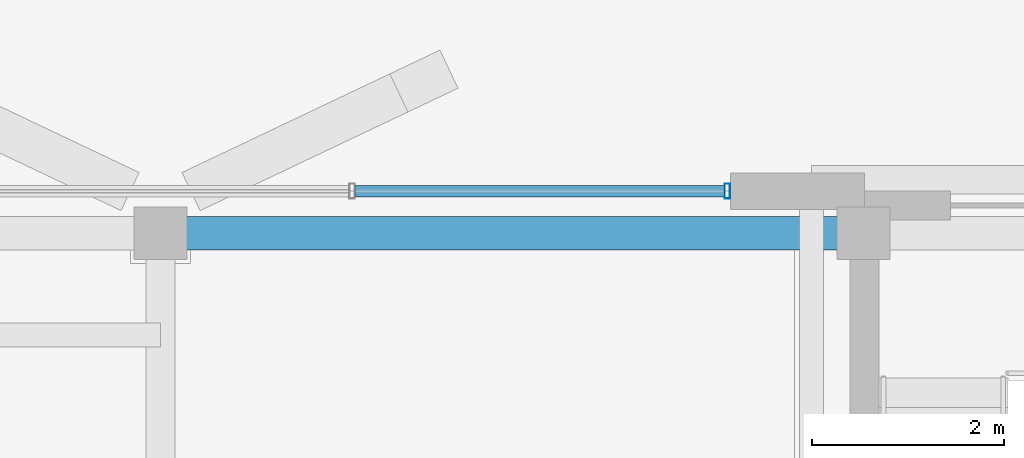
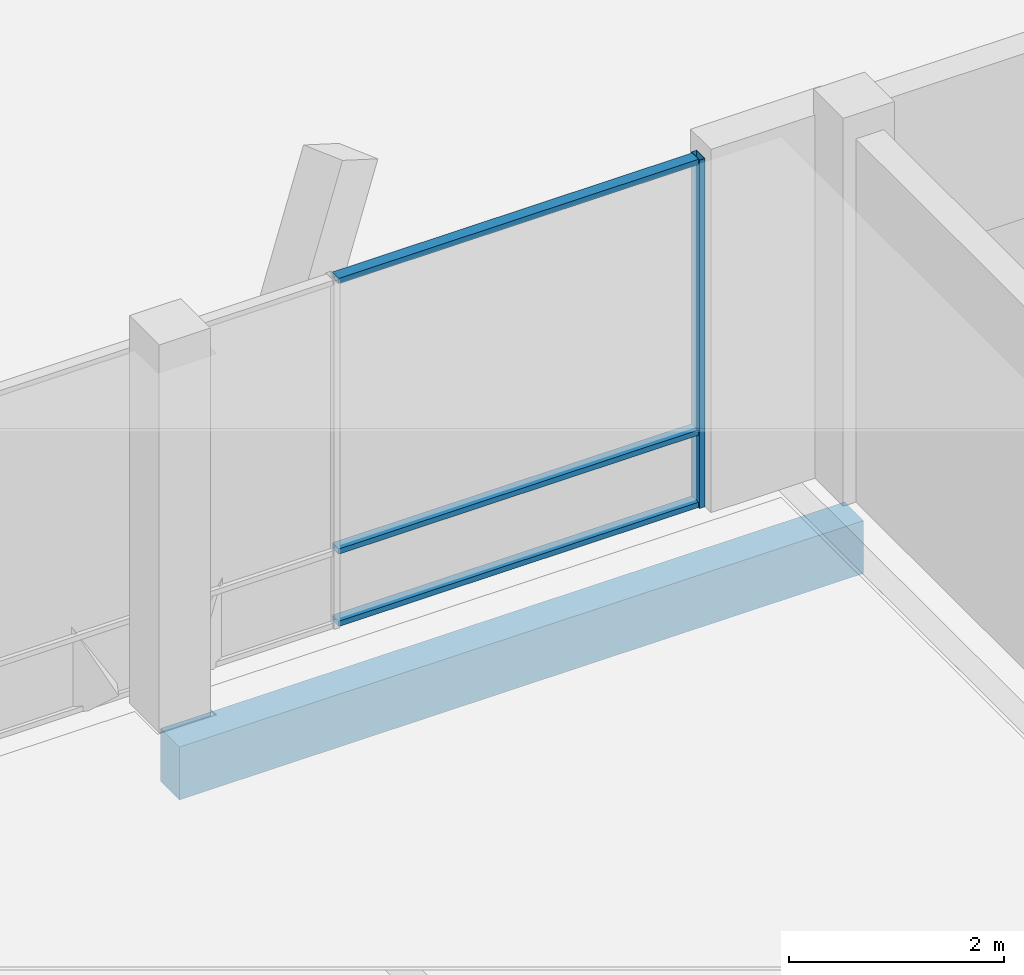
# One storey, part 77 of 233: 4 members, 1 beam, 1 element without a shape of its own.
"""IFC4 building model written with IfcOpenShell, lengths in metres."""

from ifc_helpers import new_model, si_unit, direction, frame, origin, origin_2d, place, context, subcontext, project, spatial, rectangle, hollow_rectangle, extrude, material, material_profile, profile_set, type_object, element, aggregate, save


model = new_model("IFC4")

# Units and contexts
model_context = context("Model", 3, precision=1e-05, world=origin(), true_north=direction((0.0, 1.0)))
body_context = subcontext(model_context, "Body", "Model", "MODEL_VIEW")
ifc_project = project(units=[si_unit("LENGTHUNIT", "METRE"), si_unit("AREAUNIT", "SQUARE_METRE"), si_unit("VOLUMEUNIT", "CUBIC_METRE"), si_unit("PLANEANGLEUNIT", "RADIAN"), si_unit("MASSUNIT", "GRAM", prefix="KILO")], contexts=[model_context])

# Site, building, storey
site_placement = place(None, origin())
site = spatial("IfcSite", under=ifc_project, at=site_placement, CompositionType="ELEMENT")
building_placement = place(site_placement, origin())
building = spatial("IfcBuilding", under=site, at=building_placement, Name="Zavelmont Quarter", CompositionType="ELEMENT")
storey_placement = place(building_placement, origin())
storey = spatial("IfcBuildingStorey", under=building, at=storey_placement, Name="L00", CompositionType="ELEMENT", Elevation=0.0)

# Beam
ifc_material_1 = material(Name="Concrete C35/45", Category="concrete")
ifc_material_profile_1 = material_profile(ifc_material_1, rectangle(XDim=0.35009765625, YDim=0.60009765625, at=origin_2d()), Name="RC350X600")
ifc_profile_set_1 = profile_set([ifc_material_profile_1], Name="Concrete C35/45")
beam_type = type_object("IfcBeamType", Name="BM01", PredefinedType="SPANDREL", material=ifc_profile_set_1)
beam_placement = place(storey_placement, frame((119.699951171875, 17.9599609375, -0.6201171875), z_axis=(1.0, 0.0, 0.0), x_axis=(0.0, 1.0, 0.0)))
element("IfcBeam", 1, at=beam_placement, inside=storey, type_object=beam_type, Name="L00 beam BM01 18/D to 19/D", PredefinedType="SPANDREL", context=body_context, shape_type="SweptSolid", body=[
    extrude(rectangle(XDim=0.35009765625, YDim=0.60009765625, at=origin_2d()), origin(), (0.0, 0.0, 1.0), 7.340087890625),
])

# Curtain wall, members
ifc_material_2 = material(Name="Thermally broken aluminium and double low-E safety glazing", Category="aluminium")
curtain_wall_type = type_object("IfcCurtainWallType", Name="CW-1185X395", PredefinedType="NOTDEFINED", material=ifc_material_2)
curtain_wall_placement = place(storey_placement, origin())
curtain_wall = element("IfcCurtainWall", 2, at=curtain_wall_placement, inside=storey, type_object=curtain_wall_type, Name="L00 unitised curtain wall CW-1185X395", PredefinedType="NOTDEFINED")
ifc_material_3 = material(Name="Powder-coated aluminium EN AW-6063-T6", Category="aluminium")
ifc_material_profile_2 = material_profile(ifc_material_3, hollow_rectangle(XDim=0.06005859375, YDim=0.159912109375, WallThickness=0.00390625, at=origin_2d()), Name="CWM60X160")
ifc_profile_set_2 = profile_set([ifc_material_profile_2], Name="Powder-coated aluminium EN AW-6063-T6")
member_type_1 = type_object("IfcMemberType", Name="CWM01", PredefinedType="MULLION", material=ifc_profile_set_2)
member_1_placement = place(storey_placement, frame((125.6201171875, 18.39990234375, 0.0), z_axis=(0.0, 0.0, 1.0), x_axis=(1.0, 0.0, 0.0)))
member_1 = element("IfcMember", 3, at=member_1_placement, type_object=member_type_1, Name="CW-1185X395 mullion 4", PredefinedType="MULLION", context=body_context, shape_type="SweptSolid", body=[
    extrude(hollow_rectangle(XDim=0.06005859375, YDim=0.159912109375, WallThickness=0.00390625, at=origin_2d()), origin(), (0.0, 0.0, 1.0), 3.949951171875),
])
ifc_material_profile_3 = material_profile(ifc_material_3, hollow_rectangle(XDim=0.1201171875, YDim=0.06005859375, WallThickness=0.00390625, at=origin_2d()), Name="CWT60X120")
ifc_profile_set_3 = profile_set([ifc_material_profile_3], Name="Powder-coated aluminium EN AW-6063-T6")
member_type_2 = type_object("IfcMemberType", Name="CWT01", PredefinedType="NOTDEFINED", material=ifc_profile_set_3)
member_2_placement = place(storey_placement, frame((121.72998046875, 18.39990234375, 0.030029296875), z_axis=(1.0, 0.0, 0.0), x_axis=(0.0, 1.0, 0.0)))
member_2 = element("IfcMember", 4, at=member_2_placement, type_object=member_type_2, Name="CW-1185X395 transom 3.1", ObjectType="TRANSOM", PredefinedType="USERDEFINED", context=body_context, shape_type="SweptSolid", body=[
    extrude(hollow_rectangle(XDim=0.1201171875, YDim=0.06005859375, WallThickness=0.00390625, at=origin_2d()), origin(), (0.0, 0.0, 1.0), 3.860107421875),
])
member_3_placement = place(storey_placement, frame((121.72998046875, 18.39990234375, 0.85009765625), z_axis=(1.0, 0.0, 0.0), x_axis=(0.0, 1.0, 0.0)))
member_3 = element("IfcMember", 5, at=member_3_placement, type_object=member_type_2, Name="CW-1185X395 transom 3.2", ObjectType="TRANSOM", PredefinedType="USERDEFINED", context=body_context, shape_type="SweptSolid", body=[
    extrude(hollow_rectangle(XDim=0.1201171875, YDim=0.06005859375, WallThickness=0.00390625, at=origin_2d()), origin(), (0.0, 0.0, 1.0), 3.860107421875),
])
member_4_placement = place(storey_placement, frame((121.72998046875, 18.39990234375, 3.919921875), z_axis=(1.0, 0.0, 0.0), x_axis=(0.0, 1.0, 0.0)))
member_4 = element("IfcMember", 6, at=member_4_placement, type_object=member_type_2, Name="CW-1185X395 transom 3.3", ObjectType="TRANSOM", PredefinedType="USERDEFINED", context=body_context, shape_type="SweptSolid", body=[
    extrude(hollow_rectangle(XDim=0.1201171875, YDim=0.06005859375, WallThickness=0.00390625, at=origin_2d()), origin(), (0.0, 0.0, 1.0), 3.860107421875),
])
aggregate(curtain_wall, [member_1, member_2, member_3, member_4])

save(model, "model.ifc")
